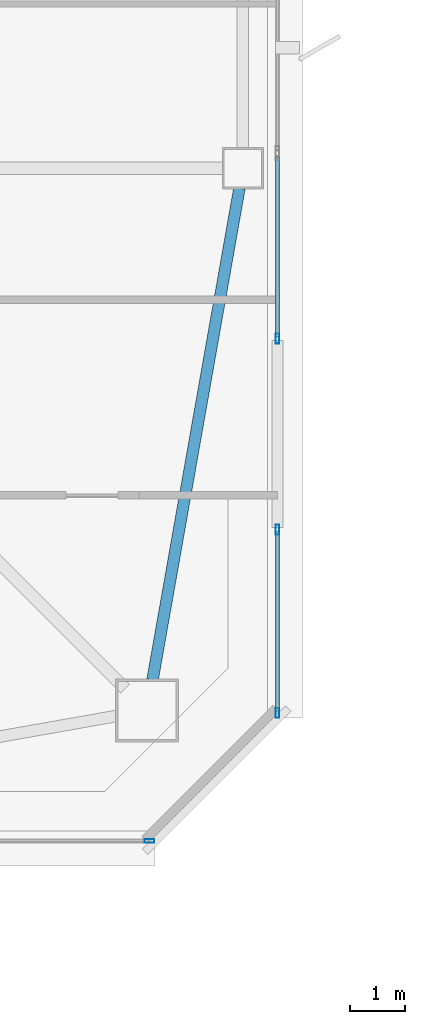
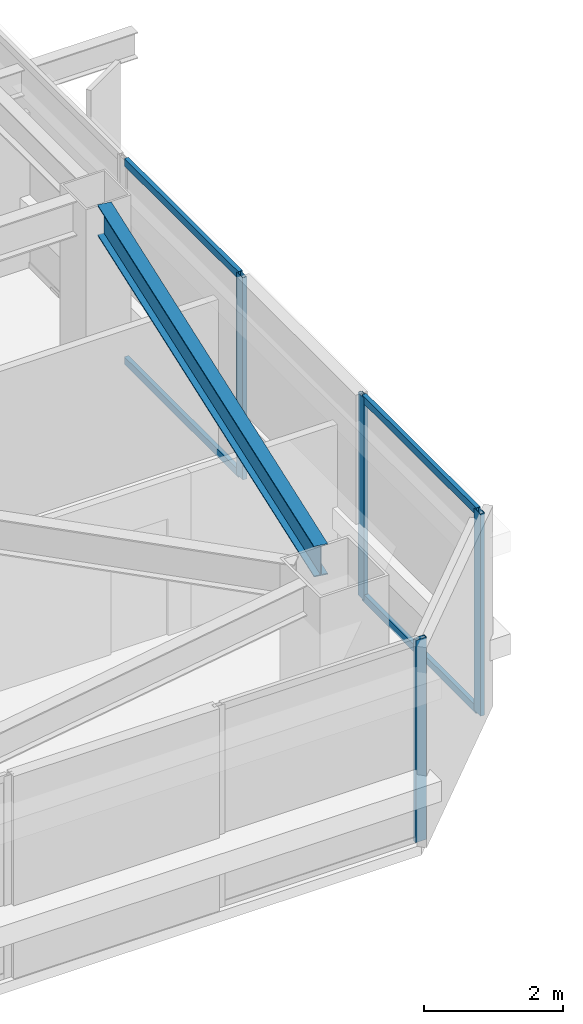
# One storey, part 10 of 46: 8 members, 1 beam, 3 elements without a shape of their own.
"""IFC4 building model written with IfcOpenShell, lengths in metres."""

from ifc_helpers import new_model, si_unit, direction, frame, origin, origin_2d, place, context, subcontext, project, spatial, hollow_rectangle, i_section, extrude, material, material_profile, profile_set, type_object, element, aggregate, save


model = new_model("IFC4")

# Units and contexts
model_context = context("Model", 3, precision=1e-05, world=origin(), true_north=direction((0.0, 1.0)))
body_context = subcontext(model_context, "Body", "Model", "MODEL_VIEW")
ifc_project = project(units=[si_unit("LENGTHUNIT", "METRE"), si_unit("AREAUNIT", "SQUARE_METRE"), si_unit("VOLUMEUNIT", "CUBIC_METRE"), si_unit("PLANEANGLEUNIT", "RADIAN"), si_unit("MASSUNIT", "GRAM", prefix="KILO")], contexts=[model_context])

# Site, building, storey
site_placement = place(None, origin())
site = spatial("IfcSite", under=ifc_project, at=site_placement, CompositionType="ELEMENT")
building_placement = place(site_placement, origin())
building = spatial("IfcBuilding", under=site, at=building_placement, Name="Tashvorn Skyway Center", CompositionType="ELEMENT")
storey_placement = place(building_placement, frame((0.0, 0.0, 167.64990234375)))
storey = spatial("IfcBuildingStorey", under=building, at=storey_placement, Name="L45", CompositionType="ELEMENT", Elevation=167.64990234375)

# Beam
ifc_material_1 = material(Name="Steel ASTM A992 Grade 50", Category="steel")
ifc_material_profile_1 = material_profile(ifc_material_1, i_section(OverallWidth=0.2109375, OverallDepth=0.5390625, WebThickness=0.01171875, FlangeThickness=0.018798828125, at=origin_2d()), Name="W21X73")
ifc_profile_set_1 = profile_set([ifc_material_profile_1], Name="Steel ASTM A992 Grade 50")
beam_type = type_object("IfcBeamType", Name="BM-SPANDREL-W21X73", PredefinedType="SPANDREL", material=ifc_profile_set_1)
beam_placement = place(storey_placement, frame((57.399169921875, 17.26123046875, 3.1005859375), z_axis=(0.174074160933, 0.984732545667, 0.0), x_axis=(-0.984732545667, 0.174074160933, 0.0)))
element("IfcBeam", 1, at=beam_placement, inside=storey, type_object=beam_type, Name="Tower 1 L45 Spandrel Beam 04", PredefinedType="SPANDREL", context=body_context, shape_type="SweptSolid", body=[
    extrude(i_section(OverallWidth=0.2109375, OverallDepth=0.5390625, WebThickness=0.01171875, FlangeThickness=0.018798828125, at=origin_2d()), origin(), (0.0, 0.0, 1.0), 9.113525390625),
])

# Curtain wall, member
ifc_material_2 = material(Name="Thermally broken bronze-anodized aluminium 6063-T6", Category="aluminium")
curtain_wall_type = type_object("IfcCurtainWallType", Name="CW-CW-Z4", PredefinedType="NOTDEFINED", material=ifc_material_2)
curtain_wall_1_placement = place(storey_placement, origin())
curtain_wall_1 = element("IfcCurtainWall", 2, at=curtain_wall_1_placement, inside=storey, type_object=curtain_wall_type, Name="Tower 1 L45 South Unitised Curtain Wall Glazing Group 1", PredefinedType="NOTDEFINED")
ifc_material_profile_2 = material_profile(ifc_material_2, hollow_rectangle(XDim=0.070068359375, YDim=0.179931640625, WallThickness=0.00390625, at=origin_2d()), Name="ALU-MULL-70x180")
ifc_profile_set_2 = profile_set([ifc_material_profile_2], Name="Thermally broken bronze-anodized aluminium 6063-T6")
member_type_1 = type_object("IfcMemberType", Name="CWM-CW-Z4", PredefinedType="MULLION", material=ifc_profile_set_2)
member_1_placement = place(storey_placement, frame((57.344970703125, 14.320068359375, 0.0), z_axis=(0.0, 0.0, 1.0), x_axis=(0.0, -1.0, 0.0)))
member_1 = element("IfcMember", 3, at=member_1_placement, type_object=member_type_1, Name="CW-Z4 mullion 1", PredefinedType="MULLION", context=body_context, shape_type="SweptSolid", body=[
    extrude(hollow_rectangle(XDim=0.070068359375, YDim=0.179931640625, WallThickness=0.00390625, at=origin_2d()), origin(), (0.0, 0.0, 1.0), 3.550048828125),
])
aggregate(curtain_wall_1, [member_1])

curtain_wall_2_placement = place(storey_placement, origin())
curtain_wall_2 = element("IfcCurtainWall", 4, at=curtain_wall_2_placement, inside=storey, type_object=curtain_wall_type, Name="Tower 1 L45 East Unitised Curtain Wall Glazing Group 4", PredefinedType="NOTDEFINED")
member_2_placement = place(storey_placement, frame((59.679931640625, 23.490478515625, 0.0), z_axis=(0.0, 0.0, 1.0), x_axis=(1.0, 0.0, 0.0)))
member_2 = element("IfcMember", 5, at=member_2_placement, type_object=member_type_1, Name="CW-Z4 mullion 2", PredefinedType="MULLION", context=body_context, shape_type="SweptSolid", body=[
    extrude(hollow_rectangle(XDim=0.070068359375, YDim=0.179931640625, WallThickness=0.00390625, at=origin_2d()), origin(), (0.0, 0.0, 1.0), 3.550048828125),
])

# Curtain wall, members
curtain_wall_3_placement = place(storey_placement, origin())
curtain_wall_3 = element("IfcCurtainWall", 6, at=curtain_wall_3_placement, inside=storey, type_object=curtain_wall_type, Name="Tower 1 L45 East Unitised Curtain Wall Glazing Group 5", PredefinedType="NOTDEFINED")
member_3_placement = place(storey_placement, frame((59.679931640625, 20.002685546875, 0.0), z_axis=(0.0, 0.0, 1.0), x_axis=(1.0, 0.0, 0.0)))
member_3 = element("IfcMember", 7, at=member_3_placement, type_object=member_type_1, Name="CW-Z4 mullion 1", PredefinedType="MULLION", context=body_context, shape_type="SweptSolid", body=[
    extrude(hollow_rectangle(XDim=0.070068359375, YDim=0.179931640625, WallThickness=0.00390625, at=origin_2d()), origin(), (0.0, 0.0, 1.0), 3.550048828125),
])
member_4_placement = place(storey_placement, frame((59.679931640625, 16.655029296875, 0.0), z_axis=(0.0, 0.0, 1.0), x_axis=(1.0, 0.0, 0.0)))
member_4 = element("IfcMember", 8, at=member_4_placement, type_object=member_type_1, Name="CW-Z4 mullion 2", PredefinedType="MULLION", context=body_context, shape_type="SweptSolid", body=[
    extrude(hollow_rectangle(XDim=0.070068359375, YDim=0.179931640625, WallThickness=0.00390625, at=origin_2d()), origin(), (0.0, 0.0, 1.0), 3.550048828125),
])

# Member
ifc_material_profile_3 = material_profile(ifc_material_2, hollow_rectangle(XDim=0.070068359375, YDim=0.1298828125, WallThickness=0.00390625, at=origin_2d()), Name="ALU-TRAN-70x130")
ifc_profile_set_3 = profile_set([ifc_material_profile_3], Name="Thermally broken bronze-anodized aluminium 6063-T6")
member_type_2 = type_object("IfcMemberType", Name="CWT-CW-Z4", PredefinedType="USERDEFINED", material=ifc_profile_set_3)
member_5_placement = place(storey_placement, frame((59.679931640625, 26.80322265625, 0.03515625), z_axis=(0.0, -1.0, 0.0), x_axis=(1.0, 0.0, 0.0)))
member_5 = element("IfcMember", 9, at=member_5_placement, type_object=member_type_2, Name="CW-Z4 transom 1.1", ObjectType="TRANSOM", PredefinedType="USERDEFINED", context=body_context, shape_type="SweptSolid", body=[
    extrude(hollow_rectangle(XDim=0.070068359375, YDim=0.1298828125, WallThickness=0.00390625, at=origin_2d()), origin(), (0.0, 0.0, 1.0), 3.277587890625),
])

member_6_placement = place(storey_placement, frame((59.679931640625, 26.80322265625, 3.51513671875), z_axis=(0.0, -1.0, 0.0), x_axis=(1.0, 0.0, 0.0)))
member_6 = element("IfcMember", 10, at=member_6_placement, type_object=member_type_2, Name="CW-Z4 transom 1.2", ObjectType="TRANSOM", PredefinedType="USERDEFINED", context=body_context, shape_type="SweptSolid", body=[
    extrude(hollow_rectangle(XDim=0.070068359375, YDim=0.1298828125, WallThickness=0.00390625, at=origin_2d()), origin(), (0.0, 0.0, 1.0), 3.277587890625),
])

aggregate(curtain_wall_2, [member_2, member_5, member_6])

member_7_placement = place(storey_placement, frame((59.679931640625, 19.9677734375, 0.03515625), z_axis=(0.0, -1.0, 0.0), x_axis=(1.0, 0.0, 0.0)))
member_7 = element("IfcMember", 11, at=member_7_placement, type_object=member_type_2, Name="CW-Z4 transom 1.1", ObjectType="TRANSOM", PredefinedType="USERDEFINED", context=body_context, shape_type="SweptSolid", body=[
    extrude(hollow_rectangle(XDim=0.070068359375, YDim=0.1298828125, WallThickness=0.00390625, at=origin_2d()), origin(), (0.0, 0.0, 1.0), 3.27783203125),
])

member_8_placement = place(storey_placement, frame((59.679931640625, 19.9677734375, 3.51513671875), z_axis=(0.0, -1.0, 0.0), x_axis=(1.0, 0.0, 0.0)))
member_8 = element("IfcMember", 12, at=member_8_placement, type_object=member_type_2, Name="CW-Z4 transom 1.2", ObjectType="TRANSOM", PredefinedType="USERDEFINED", context=body_context, shape_type="SweptSolid", body=[
    extrude(hollow_rectangle(XDim=0.070068359375, YDim=0.1298828125, WallThickness=0.00390625, at=origin_2d()), origin(), (0.0, 0.0, 1.0), 3.27783203125),
])

aggregate(curtain_wall_3, [member_3, member_4, member_7, member_8])

save(model, "model.ifc")
